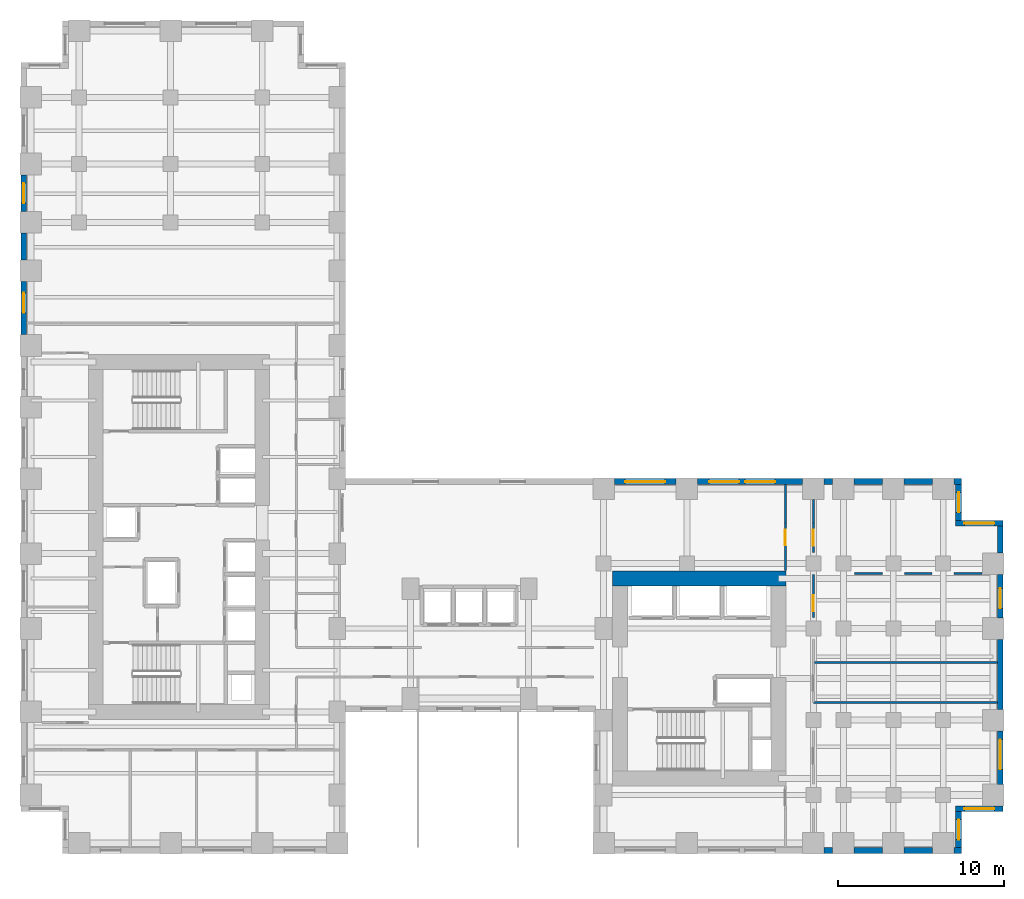
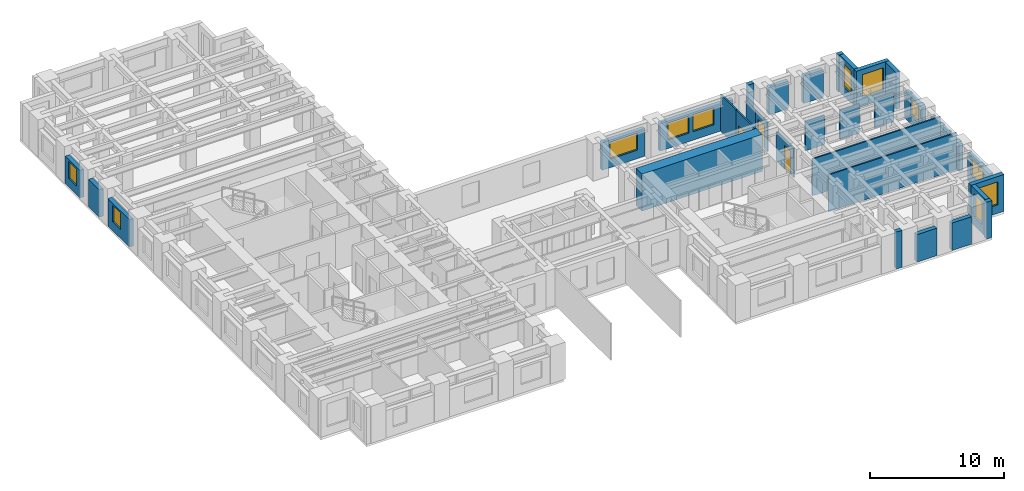
# One storey, part 9 of 12: 32 walls, 11 windows, 3 doors, 14 openings.
"""IFC4 building model written with IfcOpenShell, lengths in metres."""

from ifc_helpers import new_model, si_unit, direction, frame, frame_2d, origin, place, context, subcontext, project, spatial, rectangle, extrude, source, transform, mapped, material, layer, layer_set, type_object, element, fill, save


model = new_model("IFC4")

# Units and contexts
model_context = context("Model", 3, precision=1e-05, world=origin(), true_north=direction((0.0, 1.0)))
body_context = subcontext(model_context, "Body", "Model", "MODEL_VIEW")
ifc_project = project(units=[si_unit("LENGTHUNIT", "METRE"), si_unit("AREAUNIT", "SQUARE_METRE"), si_unit("VOLUMEUNIT", "CUBIC_METRE"), si_unit("PLANEANGLEUNIT", "RADIAN"), si_unit("MASSUNIT", "GRAM", prefix="KILO")], contexts=[model_context])

# Site, building, storey
site_placement = place(None, origin())
site = spatial("IfcSite", under=ifc_project, at=site_placement, CompositionType="ELEMENT")
building_placement = place(site_placement, origin())
building = spatial("IfcBuilding", under=site, at=building_placement, Name="Kharzan Plaza Tower", CompositionType="ELEMENT")
storey_placement = place(building_placement, frame((0.0, 0.0, 51.300048828125)))
storey = spatial("IfcBuildingStorey", under=building, at=storey_placement, Name="L13", CompositionType="ELEMENT", Elevation=51.300048828125)

# Wall, opening, window
ifc_material_1 = material(Name="Concrete C40/50", Category="concrete")
ifc_layer_1 = layer(ifc_material_1, 0.35009765625)
ifc_layer_set_1 = layer_set([ifc_layer_1], Name="Concrete C40/50")
wall_type_1 = type_object("IfcWallType", Name="WL-EXT-MAS-Z1", PredefinedType="SOLIDWALL", material=ifc_layer_set_1)
wall_1_placement = place(storey_placement, frame((0.175048828125, 40.751953125, 0.0), z_axis=(0.0, 0.0, 1.0), x_axis=(0.0, -1.0, 0.0)))
wall_1 = element("IfcWall", 1, at=wall_1_placement, inside=storey, type_object=wall_type_1, Name="L13 Masonry-Frame Exterior Wall 11", PredefinedType="SOLIDWALL", context=body_context, shape_type="SweptSolid", body=[
    extrude(rectangle(XDim=2.203857421875, YDim=0.35009765625, at=frame_2d((1.10205078125, 0.0))), origin(), (0.0, 0.0, 1.0), 2.510009765625),
])
opening_1_placement = place(wall_1_placement, frame((0.501953125, 0.0, 0.780029296875)))
opening_1 = element("IfcOpeningElement", 2, at=opening_1_placement, cuts=wall_1, Name="Opening W3", PredefinedType="OPENING", context=body_context, shape_type="SweptSolid", body=[
    extrude(rectangle(XDim=1.199951171875, YDim=1.550048828125, at=frame_2d((0.60009765625, 0.77490234375))), frame((0.0, 0.18505859375, 0.0), z_axis=(0.0, -1.0, 0.0), x_axis=(1.0, 0.0, 0.0)), (0.0, 0.0, 1.0), 0.3701171875),
])
ifc_material_2 = material(Name="Low-E Double Glazing", Category="glass")
window_type_1 = type_object("IfcWindowType", Name="WN-REC-1200x2100", PartitioningType="SINGLE_PANEL", PredefinedType="WINDOW", material=ifc_material_2)
shared_shape_1 = source(origin(), body_context, "Body", "SweptSolid", [
    extrude(rectangle(XDim=1.199951171875, YDim=1.550048828125, at=frame_2d((0.60009765625, 0.77490234375))), frame((0.0, 0.030029296875, 0.0), z_axis=(0.0, -1.0, 0.0), x_axis=(1.0, 0.0, 0.0)), (0.0, 0.0, 1.0), 0.06005859375),
])
window_1_placement = place(opening_1_placement, origin())
window_1 = element("IfcWindow", 3, at=window_1_placement, inside=storey, type_object=window_type_1, Name="L13 Recessed Solar-Control Window 11-1", OverallHeight=1.550048828125, OverallWidth=1.199951171875, PartitioningType="SINGLE_PANEL", PredefinedType="WINDOW", context=body_context, shape_type="MappedRepresentation", body=[
    mapped(shared_shape_1, transform((0.0, 0.0, 0.0), x_axis=(1.0, 0.0, 0.0), y_axis=(0.0, 1.0, 0.0), z_axis=(0.0, 0.0, 1.0))),
])
fill(opening_1, window_1)

wall_2_placement = place(storey_placement, frame((0.175048828125, 34.35205078125, 0.0), z_axis=(0.0, 0.0, 1.0), x_axis=(0.0, -1.0, 0.0)))
wall_2 = element("IfcWall", 4, at=wall_2_placement, inside=storey, type_object=wall_type_1, Name="L13 Masonry-Frame Exterior Wall 13", PredefinedType="SOLIDWALL", context=body_context, shape_type="SweptSolid", body=[
    extrude(rectangle(XDim=3.2041015625, YDim=0.35009765625, at=frame_2d((1.60205078125, 0.0))), origin(), (0.0, 0.0, 1.0), 2.510009765625),
])
opening_2_placement = place(wall_2_placement, frame((0.68603515625, 0.0, 0.780029296875)))
opening_2 = element("IfcOpeningElement", 5, at=opening_2_placement, cuts=wall_2, Name="Opening W3", PredefinedType="OPENING", context=body_context, shape_type="SweptSolid", body=[
    extrude(rectangle(XDim=1.199951171875, YDim=1.550048828125, at=frame_2d((0.60009765625, 0.77490234375))), frame((0.0, 0.18505859375, 0.0), z_axis=(0.0, -1.0, 0.0), x_axis=(1.0, 0.0, 0.0)), (0.0, 0.0, 1.0), 0.3701171875),
])
window_2_placement = place(opening_2_placement, origin())
window_2 = element("IfcWindow", 6, at=window_2_placement, inside=storey, type_object=window_type_1, Name="L13 Recessed Solar-Control Window 13-1", OverallHeight=1.550048828125, OverallWidth=1.199951171875, PartitioningType="SINGLE_PANEL", PredefinedType="WINDOW", context=body_context, shape_type="MappedRepresentation", body=[
    mapped(shared_shape_1, transform((0.0, 0.0, 0.0), x_axis=(1.0, 0.0, 0.0), y_axis=(0.0, 1.0, 0.0), z_axis=(0.0, 0.0, 1.0))),
])
fill(opening_2, window_2)

wall_3_placement = place(storey_placement, frame((56.324951171875, 0.347900390625, 0.0), z_axis=(0.0, 0.0, 1.0), x_axis=(0.0, 1.0, 0.0)))
wall_3 = element("IfcWall", 7, at=wall_3_placement, inside=storey, type_object=wall_type_1, Name="L13 Masonry-Frame Exterior Wall 39", PredefinedType="SOLIDWALL", context=body_context, shape_type="SweptSolid", body=[
    extrude(rectangle(XDim=2.154052734375, YDim=0.35009765625, at=frame_2d((1.0771484375, 0.0))), origin(), (0.0, 0.0, 1.0), 3.364990234375),
])
opening_3_placement = place(wall_3_placement, frame((0.47705078125, 0.0, 0.780029296875)))
opening_3 = element("IfcOpeningElement", 8, at=opening_3_placement, cuts=wall_3, Name="Opening W3", PredefinedType="OPENING", context=body_context, shape_type="SweptSolid", body=[
    extrude(rectangle(XDim=1.199951171875, YDim=2.10009765625, at=frame_2d((0.60009765625, 1.050048828125))), frame((0.0, 0.18505859375, 0.0), z_axis=(0.0, -1.0, 0.0), x_axis=(1.0, 0.0, 0.0)), (0.0, 0.0, 1.0), 0.3701171875),
])
shared_shape_2 = source(origin(), body_context, "Body", "SweptSolid", [
    extrude(rectangle(XDim=1.199951171875, YDim=2.10009765625, at=frame_2d((0.60009765625, 1.050048828125))), frame((0.0, 0.030029296875, 0.0), z_axis=(0.0, -1.0, 0.0), x_axis=(1.0, 0.0, 0.0)), (0.0, 0.0, 1.0), 0.06005859375),
])
window_3_placement = place(opening_3_placement, origin())
window_3 = element("IfcWindow", 9, at=window_3_placement, inside=storey, type_object=window_type_1, Name="L13 Recessed Solar-Control Window 39-1", OverallHeight=2.10009765625, OverallWidth=1.199951171875, PartitioningType="SINGLE_PANEL", PredefinedType="WINDOW", context=body_context, shape_type="MappedRepresentation", body=[
    mapped(shared_shape_2, transform((0.0, 0.0, 0.0), x_axis=(1.0, 0.0, 0.0), y_axis=(0.0, 1.0, 0.0), z_axis=(0.0, 0.0, 1.0))),
])
fill(opening_3, window_3)

wall_4_placement = place(storey_placement, frame((56.14990234375, 2.675048828125, 0.0), z_axis=(0.0, 0.0, 1.0), x_axis=(1.0, 0.0, 0.0)))
wall_4 = element("IfcWall", 10, at=wall_4_placement, inside=storey, type_object=wall_type_1, Name="L13 Masonry-Frame Exterior Wall 40", PredefinedType="SOLIDWALL", context=body_context, shape_type="SweptSolid", body=[
    extrude(rectangle(XDim=2.85009765625, YDim=0.35009765625, at=frame_2d((1.425048828125, 0.0))), origin(), (0.0, 0.0, 1.0), 3.364990234375),
])
opening_4_placement = place(wall_4_placement, frame((0.52490234375, 0.0, 0.780029296875)))
opening_4 = element("IfcOpeningElement", 11, at=opening_4_placement, cuts=wall_4, Name="Opening W1", PredefinedType="OPENING", context=body_context, shape_type="SweptSolid", body=[
    extrude(rectangle(XDim=1.800048828125, YDim=2.10009765625, at=frame_2d((0.89990234375, 1.050048828125))), frame((0.0, 0.18505859375, 0.0), z_axis=(0.0, -1.0, 0.0), x_axis=(1.0, 0.0, 0.0)), (0.0, 0.0, 1.0), 0.3701171875),
])
window_type_2 = type_object("IfcWindowType", Name="WN-REC-1800x2100", PartitioningType="SINGLE_PANEL", PredefinedType="WINDOW", material=ifc_material_2)
shared_shape_3 = source(origin(), body_context, "Body", "SweptSolid", [
    extrude(rectangle(XDim=1.800048828125, YDim=2.10009765625, at=frame_2d((0.89990234375, 1.050048828125))), frame((0.0, 0.030029296875, 0.0), z_axis=(0.0, -1.0, 0.0), x_axis=(1.0, 0.0, 0.0)), (0.0, 0.0, 1.0), 0.06005859375),
])
window_4_placement = place(opening_4_placement, origin())
window_4 = element("IfcWindow", 12, at=window_4_placement, inside=storey, type_object=window_type_2, Name="L13 Recessed Solar-Control Window 40-1", OverallHeight=2.10009765625, OverallWidth=1.800048828125, PartitioningType="SINGLE_PANEL", PredefinedType="WINDOW", context=body_context, shape_type="MappedRepresentation", body=[
    mapped(shared_shape_3, transform((0.0, 0.0, 0.0), x_axis=(1.0, 0.0, 0.0), y_axis=(0.0, 1.0, 0.0), z_axis=(0.0, 0.0, 1.0))),
])
fill(opening_4, window_4)

wall_5_placement = place(storey_placement, frame((58.824951171875, 4.14794921875, 0.0), z_axis=(0.0, 0.0, 1.0), x_axis=(0.0, 1.0, 0.0)))
wall_5 = element("IfcWall", 13, at=wall_5_placement, inside=storey, type_object=wall_type_1, Name="L13 Masonry-Frame Exterior Wall 41", PredefinedType="SOLIDWALL", context=body_context, shape_type="SweptSolid", body=[
    extrude(rectangle(XDim=3.2041015625, YDim=0.35009765625, at=frame_2d((1.60205078125, 0.0))), origin(), (0.0, 0.0, 1.0), 2.510009765625),
])
opening_5_placement = place(wall_5_placement, frame((0.88671875, 0.0, 0.780029296875)))
opening_5 = element("IfcOpeningElement", 14, at=opening_5_placement, cuts=wall_5, Name="Opening W1", PredefinedType="OPENING", context=body_context, shape_type="SweptSolid", body=[
    extrude(rectangle(XDim=1.800048828125, YDim=1.550048828125, at=frame_2d((0.89990234375, 0.77490234375))), frame((0.0, 0.18505859375, 0.0), z_axis=(0.0, -1.0, 0.0), x_axis=(1.0, 0.0, 0.0)), (0.0, 0.0, 1.0), 0.3701171875),
])
shared_shape_4 = source(origin(), body_context, "Body", "SweptSolid", [
    extrude(rectangle(XDim=1.800048828125, YDim=1.550048828125, at=frame_2d((0.89990234375, 0.77490234375))), frame((0.0, 0.030029296875, 0.0), z_axis=(0.0, -1.0, 0.0), x_axis=(1.0, 0.0, 0.0)), (0.0, 0.0, 1.0), 0.06005859375),
])
window_5_placement = place(opening_5_placement, origin())
window_5 = element("IfcWindow", 15, at=window_5_placement, inside=storey, type_object=window_type_2, Name="L13 Recessed Solar-Control Window 41-1", OverallHeight=1.550048828125, OverallWidth=1.800048828125, PartitioningType="SINGLE_PANEL", PredefinedType="WINDOW", context=body_context, shape_type="MappedRepresentation", body=[
    mapped(shared_shape_4, transform((0.0, 0.0, 0.0), x_axis=(1.0, 0.0, 0.0), y_axis=(0.0, 1.0, 0.0), z_axis=(0.0, 0.0, 1.0))),
])
fill(opening_5, window_5)

wall_6_placement = place(storey_placement, frame((58.824951171875, 14.14794921875, 0.0), z_axis=(0.0, 0.0, 1.0), x_axis=(0.0, 1.0, 0.0)))
wall_6 = element("IfcWall", 16, at=wall_6_placement, inside=storey, type_object=wall_type_1, Name="L13 Masonry-Frame Exterior Wall 43", PredefinedType="SOLIDWALL", context=body_context, shape_type="SweptSolid", body=[
    extrude(rectangle(XDim=2.60400390625, YDim=0.35009765625, at=frame_2d((1.302001953125, 0.0))), origin(), (0.0, 0.0, 1.0), 2.510009765625),
])
opening_6_placement = place(wall_6_placement, frame((0.5673828125, 0.0, 0.780029296875)))
opening_6 = element("IfcOpeningElement", 17, at=opening_6_placement, cuts=wall_6, Name="Opening W3", PredefinedType="OPENING", context=body_context, shape_type="SweptSolid", body=[
    extrude(rectangle(XDim=1.199951171875, YDim=1.550048828125, at=frame_2d((0.60009765625, 0.77490234375))), frame((0.0, 0.18505859375, 0.0), z_axis=(0.0, -1.0, 0.0), x_axis=(1.0, 0.0, 0.0)), (0.0, 0.0, 1.0), 0.3701171875),
])
window_6_placement = place(opening_6_placement, origin())
window_6 = element("IfcWindow", 18, at=window_6_placement, inside=storey, type_object=window_type_1, Name="L13 Recessed Solar-Control Window 43-1", OverallHeight=1.550048828125, OverallWidth=1.199951171875, PartitioningType="SINGLE_PANEL", PredefinedType="WINDOW", context=body_context, shape_type="MappedRepresentation", body=[
    mapped(shared_shape_1, transform((0.0, 0.0, 0.0), x_axis=(1.0, 0.0, 0.0), y_axis=(0.0, 1.0, 0.0), z_axis=(0.0, 0.0, 1.0))),
])
fill(opening_6, window_6)

wall_7_placement = place(storey_placement, frame((59.0, 19.824951171875, 0.0), z_axis=(0.0, 0.0, 1.0), x_axis=(-1.0, 0.0, 0.0)))
wall_7 = element("IfcWall", 19, at=wall_7_placement, inside=storey, type_object=wall_type_1, Name="L13 Masonry-Frame Exterior Wall 45", PredefinedType="SOLIDWALL", context=body_context, shape_type="SweptSolid", body=[
    extrude(rectangle(XDim=2.85009765625, YDim=0.35009765625, at=frame_2d((1.425048828125, 0.0))), origin(), (0.0, 0.0, 1.0), 3.364990234375),
])
opening_7_placement = place(wall_7_placement, frame((0.52490234375, 0.0, 0.780029296875)))
opening_7 = element("IfcOpeningElement", 20, at=opening_7_placement, cuts=wall_7, Name="Opening W1", PredefinedType="OPENING", context=body_context, shape_type="SweptSolid", body=[
    extrude(rectangle(XDim=1.800048828125, YDim=2.10009765625, at=frame_2d((0.89990234375, 1.050048828125))), frame((0.0, 0.18505859375, 0.0), z_axis=(0.0, -1.0, 0.0), x_axis=(1.0, 0.0, 0.0)), (0.0, 0.0, 1.0), 0.3701171875),
])
window_7_placement = place(opening_7_placement, origin())
window_7 = element("IfcWindow", 21, at=window_7_placement, inside=storey, type_object=window_type_2, Name="L13 Recessed Solar-Control Window 45-1", OverallHeight=2.10009765625, OverallWidth=1.800048828125, PartitioningType="SINGLE_PANEL", PredefinedType="WINDOW", context=body_context, shape_type="MappedRepresentation", body=[
    mapped(shared_shape_3, transform((0.0, 0.0, 0.0), x_axis=(1.0, 0.0, 0.0), y_axis=(0.0, 1.0, 0.0), z_axis=(0.0, 0.0, 1.0))),
])
fill(opening_7, window_7)

wall_8_placement = place(storey_placement, frame((56.324951171875, 19.998046875, 0.0), z_axis=(0.0, 0.0, 1.0), x_axis=(0.0, 1.0, 0.0)))
wall_8 = element("IfcWall", 22, at=wall_8_placement, inside=storey, type_object=wall_type_1, Name="L13 Masonry-Frame Exterior Wall 46", PredefinedType="SOLIDWALL", context=body_context, shape_type="SweptSolid", body=[
    extrude(rectangle(XDim=2.154052734375, YDim=0.35009765625, at=frame_2d((1.0771484375, 0.0))), origin(), (0.0, 0.0, 1.0), 3.364990234375),
])
opening_8_placement = place(wall_8_placement, frame((0.47705078125, 0.0, 0.780029296875)))
opening_8 = element("IfcOpeningElement", 23, at=opening_8_placement, cuts=wall_8, Name="Opening W3", PredefinedType="OPENING", context=body_context, shape_type="SweptSolid", body=[
    extrude(rectangle(XDim=1.199951171875, YDim=2.10009765625, at=frame_2d((0.60009765625, 1.050048828125))), frame((0.0, 0.18505859375, 0.0), z_axis=(0.0, -1.0, 0.0), x_axis=(1.0, 0.0, 0.0)), (0.0, 0.0, 1.0), 0.3701171875),
])
window_8_placement = place(opening_8_placement, origin())
window_8 = element("IfcWindow", 24, at=window_8_placement, inside=storey, type_object=window_type_1, Name="L13 Recessed Solar-Control Window 46-1", OverallHeight=2.10009765625, OverallWidth=1.199951171875, PartitioningType="SINGLE_PANEL", PredefinedType="WINDOW", context=body_context, shape_type="MappedRepresentation", body=[
    mapped(shared_shape_2, transform((0.0, 0.0, 0.0), x_axis=(1.0, 0.0, 0.0), y_axis=(0.0, 1.0, 0.0), z_axis=(0.0, 0.0, 1.0))),
])
fill(opening_8, window_8)

# Wall, openings, windows
wall_9_placement = place(storey_placement, frame((46.951904296875, 22.324951171875, 0.0), z_axis=(0.0, 0.0, 1.0), x_axis=(-1.0, 0.0, 0.0)))
wall_9 = element("IfcWall", 25, at=wall_9_placement, inside=storey, type_object=wall_type_1, Name="L13 Masonry-Frame Exterior Wall 51", PredefinedType="SOLIDWALL", context=body_context, shape_type="SweptSolid", body=[
    extrude(rectangle(XDim=6.303955078125, YDim=0.35009765625, at=frame_2d((3.15185546875, 0.0))), origin(), (0.0, 0.0, 1.0), 2.510009765625),
])
opening_9_placement = place(wall_9_placement, frame((1.6494140625, 0.0, 0.780029296875)))
opening_9 = element("IfcOpeningElement", 26, at=opening_9_placement, cuts=wall_9, Name="Opening W1", PredefinedType="OPENING", context=body_context, shape_type="SweptSolid", body=[
    extrude(rectangle(XDim=1.800048828125, YDim=1.550048828125, at=frame_2d((0.89990234375, 0.77490234375))), frame((0.0, 0.18505859375, 0.0), z_axis=(0.0, -1.0, 0.0), x_axis=(1.0, 0.0, 0.0)), (0.0, 0.0, 1.0), 0.3701171875),
])
opening_10_placement = place(wall_9_placement, frame((3.816650390625, 0.0, 0.780029296875)))
opening_10 = element("IfcOpeningElement", 27, at=opening_10_placement, cuts=wall_9, Name="Opening W1", PredefinedType="OPENING", context=body_context, shape_type="SweptSolid", body=[
    extrude(rectangle(XDim=1.800048828125, YDim=1.550048828125, at=frame_2d((0.89990234375, 0.77490234375))), frame((0.0, 0.18505859375, 0.0), z_axis=(0.0, -1.0, 0.0), x_axis=(1.0, 0.0, 0.0)), (0.0, 0.0, 1.0), 0.3701171875),
])
window_9_placement = place(opening_9_placement, origin())
window_9 = element("IfcWindow", 28, at=window_9_placement, inside=storey, type_object=window_type_2, Name="L13 Recessed Solar-Control Window 51-1", OverallHeight=1.550048828125, OverallWidth=1.800048828125, PartitioningType="SINGLE_PANEL", PredefinedType="WINDOW", context=body_context, shape_type="MappedRepresentation", body=[
    mapped(shared_shape_4, transform((0.0, 0.0, 0.0), x_axis=(1.0, 0.0, 0.0), y_axis=(0.0, 1.0, 0.0), z_axis=(0.0, 0.0, 1.0))),
])
fill(opening_9, window_9)
window_10_placement = place(opening_10_placement, origin())
window_10 = element("IfcWindow", 29, at=window_10_placement, inside=storey, type_object=window_type_2, Name="L13 Recessed Solar-Control Window 51-2", OverallHeight=1.550048828125, OverallWidth=1.800048828125, PartitioningType="SINGLE_PANEL", PredefinedType="WINDOW", context=body_context, shape_type="MappedRepresentation", body=[
    mapped(shared_shape_4, transform((0.0, 0.0, 0.0), x_axis=(1.0, 0.0, 0.0), y_axis=(0.0, 1.0, 0.0), z_axis=(0.0, 0.0, 1.0))),
])
fill(opening_10, window_10)

# Wall, opening, window
wall_10_placement = place(storey_placement, frame((39.35205078125, 22.324951171875, 0.0), z_axis=(0.0, 0.0, 1.0), x_axis=(-1.0, 0.0, 0.0)))
wall_10 = element("IfcWall", 30, at=wall_10_placement, inside=storey, type_object=wall_type_1, Name="L13 Masonry-Frame Exterior Wall 52", PredefinedType="SOLIDWALL", context=body_context, shape_type="SweptSolid", body=[
    extrude(rectangle(XDim=3.7041015625, YDim=0.35009765625, at=frame_2d((1.85205078125, 0.0))), origin(), (0.0, 0.0, 1.0), 2.510009765625),
])
opening_11_placement = place(wall_10_placement, frame((0.652099609375, 0.0, 0.780029296875)))
opening_11 = element("IfcOpeningElement", 31, at=opening_11_placement, cuts=wall_10, Name="Opening W2", PredefinedType="OPENING", context=body_context, shape_type="SweptSolid", body=[
    extrude(rectangle(XDim=2.39990234375, YDim=1.550048828125, at=frame_2d((1.199951171875, 0.77490234375))), frame((0.0, 0.18505859375, 0.0), z_axis=(0.0, -1.0, 0.0), x_axis=(1.0, 0.0, 0.0)), (0.0, 0.0, 1.0), 0.3701171875),
])
window_type_3 = type_object("IfcWindowType", Name="WN-REC-2400x2100", PartitioningType="SINGLE_PANEL", PredefinedType="WINDOW", material=ifc_material_2)
shared_shape_5 = source(origin(), body_context, "Body", "SweptSolid", [
    extrude(rectangle(XDim=2.39990234375, YDim=1.550048828125, at=frame_2d((1.199951171875, 0.77490234375))), frame((0.0, 0.030029296875, 0.0), z_axis=(0.0, -1.0, 0.0), x_axis=(1.0, 0.0, 0.0)), (0.0, 0.0, 1.0), 0.06005859375),
])
window_11_placement = place(opening_11_placement, origin())
window_11 = element("IfcWindow", 32, at=window_11_placement, inside=storey, type_object=window_type_3, Name="L13 Wide Recessed Solar-Control Window 52-1", OverallHeight=1.550048828125, OverallWidth=2.39990234375, PartitioningType="SINGLE_PANEL", PredefinedType="WINDOW", context=body_context, shape_type="MappedRepresentation", body=[
    mapped(shared_shape_5, transform((0.0, 0.0, 0.0), x_axis=(1.0, 0.0, 0.0), y_axis=(0.0, 1.0, 0.0), z_axis=(0.0, 0.0, 1.0))),
])
fill(opening_11, window_11)

# Wall, opening, door
ifc_material_3 = material(Name="Fire-Rated Gypsum Board Partition", Category="gypsum")
ifc_layer_2 = layer(ifc_material_3, 0.125)
ifc_layer_set_2 = layer_set([ifc_layer_2], Name="Fire-Rated Gypsum Board Partition")
wall_type_2 = type_object("IfcWallType", Name="WL-INT-PART-125", PredefinedType="PARTITIONING", material=ifc_layer_set_2)
wall_11_placement = place(storey_placement, frame((47.60009765625, 14.159912109375, 0.0), z_axis=(0.0, 0.0, 1.0), x_axis=(0.0, 1.0, 0.0)))
wall_11 = element("IfcWall", 33, at=wall_11_placement, inside=storey, type_object=wall_type_2, Name="L13 Interior Partition SH-B1W1-S2", PredefinedType="PARTITIONING", context=body_context, shape_type="SweptSolid", body=[
    extrude(rectangle(XDim=2.580078125, YDim=0.125, at=frame_2d((1.2900390625, 0.0))), origin(), (0.0, 0.0, 1.0), 2.669921875),
])
opening_12_placement = place(wall_11_placement, frame((0.3916015625, 0.0, 0.0)))
opening_12 = element("IfcOpeningElement", 34, at=opening_12_placement, cuts=wall_11, Name="Opening OD1", PredefinedType="OPENING", context=body_context, shape_type="SweptSolid", body=[
    extrude(rectangle(XDim=0.949951171875, YDim=2.14990234375, at=frame_2d((0.47509765625, 1.074951171875))), frame((0.0, 0.072509765625, 0.0), z_axis=(0.0, -1.0, 0.0), x_axis=(1.0, 0.0, 0.0)), (0.0, 0.0, 1.0), 0.14501953125),
])
ifc_material_4 = material(Name="Acoustic Solid-Core Stained Oak", Category="timber")
door_type = type_object("IfcDoorType", Name="DR-OFF-SINGLE", OperationType="NOTDEFINED", PredefinedType="DOOR", material=ifc_material_4)
shared_shape_6 = source(origin(), body_context, "Body", "SweptSolid", [
    extrude(rectangle(XDim=0.949951171875, YDim=2.14990234375, at=frame_2d((0.47509765625, 1.074951171875))), frame((0.0, 0.02490234375, 0.0), z_axis=(0.0, -1.0, 0.0), x_axis=(1.0, 0.0, 0.0)), (0.0, 0.0, 1.0), 0.050048828125),
])
door_1_placement = place(opening_12_placement, origin())
door_1 = element("IfcDoor", 35, at=door_1_placement, inside=storey, type_object=door_type, Name="L13 Wing B Mid Office Door", OperationType="SINGLE_SWING_RIGHT", OverallHeight=2.14990234375, OverallWidth=0.949951171875, PredefinedType="DOOR", context=body_context, shape_type="MappedRepresentation", body=[
    mapped(shared_shape_6, transform((0.0, 0.0, 0.0), x_axis=(1.0, 0.0, 0.0), y_axis=(0.0, 1.0, 0.0), z_axis=(0.0, 0.0, 1.0))),
])
fill(opening_12, door_1)

wall_12_placement = place(storey_placement, frame((47.60009765625, 18.06005859375, 0.0), z_axis=(0.0, 0.0, 1.0), x_axis=(0.0, 1.0, 0.0)))
wall_12 = element("IfcWall", 36, at=wall_12_placement, inside=storey, type_object=wall_type_2, Name="L13 Interior Partition SH-B1W2", PredefinedType="PARTITIONING", context=body_context, shape_type="SweptSolid", body=[
    extrude(rectangle(XDim=1.7900390625, YDim=0.125, at=frame_2d((0.89501953125, 0.0))), origin(), (0.0, 0.0, 1.0), 2.669921875),
])
opening_13_placement = place(wall_12_placement, frame((0.419921875, 0.0, 0.0)))
opening_13 = element("IfcOpeningElement", 37, at=opening_13_placement, cuts=wall_12, Name="Opening OD1", PredefinedType="OPENING", context=body_context, shape_type="SweptSolid", body=[
    extrude(rectangle(XDim=0.949951171875, YDim=2.14990234375, at=frame_2d((0.47509765625, 1.074951171875))), frame((0.0, 0.072509765625, 0.0), z_axis=(0.0, -1.0, 0.0), x_axis=(1.0, 0.0, 0.0)), (0.0, 0.0, 1.0), 0.14501953125),
])
door_2_placement = place(opening_13_placement, origin())
door_2 = element("IfcDoor", 38, at=door_2_placement, inside=storey, type_object=door_type, Name="L13 Wing B North Office Door", OperationType="SINGLE_SWING_RIGHT", OverallHeight=2.14990234375, OverallWidth=0.949951171875, PredefinedType="DOOR", context=body_context, shape_type="MappedRepresentation", body=[
    mapped(shared_shape_6, transform((0.0, 0.0, 0.0), x_axis=(1.0, 0.0, 0.0), y_axis=(0.0, 1.0, 0.0), z_axis=(0.0, 0.0, 1.0))),
])
fill(opening_13, door_2)

wall_13_placement = place(storey_placement, frame((45.919921875, 16.97998046875, 0.0), z_axis=(0.0, 0.0, 1.0), x_axis=(0.0, 1.0, 0.0)))
wall_13 = element("IfcWall", 39, at=wall_13_placement, inside=storey, type_object=wall_type_2, Name="L13 Interior Partition SH-RBNE", PredefinedType="PARTITIONING", context=body_context, shape_type="SweptSolid", body=[
    extrude(rectangle(XDim=2.8701171875, YDim=0.125, at=frame_2d((1.43505859375, 0.0))), origin(), (0.0, 0.0, 1.0), 3.364990234375),
])
opening_14_placement = place(wall_13_placement, frame((1.51708984375, 0.0, 0.0)))
opening_14 = element("IfcOpeningElement", 40, at=opening_14_placement, cuts=wall_13, Name="Opening OD1", PredefinedType="OPENING", context=body_context, shape_type="SweptSolid", body=[
    extrude(rectangle(XDim=0.949951171875, YDim=2.14990234375, at=frame_2d((0.47509765625, 1.074951171875))), frame((0.0, 0.072509765625, 0.0), z_axis=(0.0, -1.0, 0.0), x_axis=(1.0, 0.0, 0.0)), (0.0, 0.0, 1.0), 0.14501953125),
])
door_3_placement = place(opening_14_placement, origin())
door_3 = element("IfcDoor", 41, at=door_3_placement, inside=storey, type_object=door_type, Name="L13 Wing B North Studio Door", OperationType="SINGLE_SWING_RIGHT", OverallHeight=2.14990234375, OverallWidth=0.949951171875, PredefinedType="DOOR", context=body_context, shape_type="MappedRepresentation", body=[
    mapped(shared_shape_6, transform((0.0, 0.0, 0.0), x_axis=(1.0, 0.0, 0.0), y_axis=(0.0, 1.0, 0.0), z_axis=(0.0, 0.0, 1.0))),
])
fill(opening_14, door_3)

# Walls
ifc_material_5 = material(Name="Concrete C60/75", Category="concrete")
ifc_layer_3 = layer(ifc_material_5, 0.89990234375)
ifc_layer_set_3 = layer_set([ifc_layer_3], Name="Concrete C60/75")
wall_type_3 = type_object("IfcWallType", Name="WL-CORE-900", PredefinedType="SHEAR", material=ifc_layer_set_3)
shared_shape_7 = source(origin(), body_context, "Body", "SweptSolid", [
    extrude(rectangle(XDim=10.39990234375, YDim=0.89990234375, at=frame_2d((5.199951171875, 0.0))), origin(), (0.0, 0.0, 1.0), 3.3798828125),
])
wall_14_placement = place(storey_placement, frame((35.550048828125, 16.5, 0.0), z_axis=(0.0, 0.0, 1.0), x_axis=(1.0, 0.0, 0.0)))
element("IfcWall", 42, at=wall_14_placement, inside=storey, type_object=wall_type_3, Name="L13 CORE-B north RC shear wall", PredefinedType="SHEAR", context=body_context, shape_type="MappedRepresentation", body=[
    mapped(shared_shape_7, transform((0.0, 0.0, 0.0), x_axis=(1.0, 0.0, 0.0), y_axis=(0.0, 1.0, 0.0), z_axis=(0.0, 0.0, 1.0))),
])
shared_shape_8 = source(origin(), body_context, "Body", "SweptSolid", [
    extrude(rectangle(XDim=1.60400390625, YDim=0.35009765625, at=frame_2d((0.802001953125, 0.0))), origin(), (0.0, 0.0, 1.0), 2.510009765625),
])
wall_15_placement = place(storey_placement, frame((0.175048828125, 37.251953125, 0.0), z_axis=(0.0, 0.0, 1.0), x_axis=(0.0, -1.0, 0.0)))
element("IfcWall", 43, at=wall_15_placement, inside=storey, type_object=wall_type_1, Name="L13 Masonry-Frame Exterior Wall 12", PredefinedType="SOLIDWALL", context=body_context, shape_type="MappedRepresentation", body=[
    mapped(shared_shape_8, transform((0.0, 0.0, 0.0), x_axis=(1.0, 0.0, 0.0), y_axis=(0.0, 1.0, 0.0), z_axis=(0.0, 0.0, 1.0))),
])
shared_shape_9 = source(origin(), body_context, "Body", "SweptSolid", [
    extrude(rectangle(XDim=0.50390625, YDim=0.35009765625, at=frame_2d((0.251953125, 0.0))), origin(), (0.0, 0.0, 1.0), 3.364990234375),
])
for number, where, z_axis, x_axis, name in (
    (44, (48.248046875, 0.175048828125, 0.0), (0.0, 0.0, 1.0), (1.0, 0.0, 0.0), "L13 Masonry-Frame Exterior Wall 35"),
    (45, (48.751953125, 22.324951171875, 0.0), (0.0, 0.0, 1.0), (-1.0, 0.0, 0.0), "L13 Masonry-Frame Exterior Wall 50"),
):
    element("IfcWall", number, at=place(storey_placement, frame(where, z_axis=z_axis, x_axis=x_axis)), inside=storey, type_object=wall_type_1, Name=name, PredefinedType="SOLIDWALL", context=body_context, shape_type="MappedRepresentation", body=[
        mapped(shared_shape_9, transform((0.0, 0.0, 0.0), x_axis=(1.0, 0.0, 0.0), y_axis=(0.0, 1.0, 0.0), z_axis=(0.0, 0.0, 1.0))),
    ])
shared_shape_10 = source(origin(), body_context, "Body", "SweptSolid", [
    extrude(rectangle(XDim=1.703857421875, YDim=0.35009765625, at=frame_2d((0.85205078125, 0.0))), origin(), (0.0, 0.0, 1.0), 2.510009765625),
])
for number, where, z_axis, x_axis, name in (
    (46, (50.048095703125, 0.175048828125, 0.0), (0.0, 0.0, 1.0), (1.0, 0.0, 0.0), "L13 Masonry-Frame Exterior Wall 36"),
    (47, (53.048095703125, 0.175048828125, 0.0), (0.0, 0.0, 1.0), (1.0, 0.0, 0.0), "L13 Masonry-Frame Exterior Wall 37"),
    (48, (54.751953125, 22.324951171875, 0.0), (0.0, 0.0, 1.0), (-1.0, 0.0, 0.0), "L13 Masonry-Frame Exterior Wall 48"),
    (49, (51.751953125, 22.324951171875, 0.0), (0.0, 0.0, 1.0), (-1.0, 0.0, 0.0), "L13 Masonry-Frame Exterior Wall 49"),
):
    element("IfcWall", number, at=place(storey_placement, frame(where, z_axis=z_axis, x_axis=x_axis)), inside=storey, type_object=wall_type_1, Name=name, PredefinedType="SOLIDWALL", context=body_context, shape_type="MappedRepresentation", body=[
        mapped(shared_shape_10, transform((0.0, 0.0, 0.0), x_axis=(1.0, 0.0, 0.0), y_axis=(0.0, 1.0, 0.0), z_axis=(0.0, 0.0, 1.0))),
    ])
shared_shape_11 = source(origin(), body_context, "Body", "SweptSolid", [
    extrude(rectangle(XDim=0.451904296875, YDim=0.35009765625, at=frame_2d((0.22607421875, 0.0))), origin(), (0.0, 0.0, 1.0), 3.364990234375),
])
for number, where, z_axis, x_axis, name in (
    (50, (56.048095703125, 0.175048828125, 0.0), (0.0, 0.0, 1.0), (1.0, 0.0, 0.0), "L13 Masonry-Frame Exterior Wall 38"),
    (51, (56.5, 22.324951171875, 0.0), (0.0, 0.0, 1.0), (-1.0, 0.0, 0.0), "L13 Masonry-Frame Exterior Wall 47"),
):
    element("IfcWall", number, at=place(storey_placement, frame(where, z_axis=z_axis, x_axis=x_axis)), inside=storey, type_object=wall_type_1, Name=name, PredefinedType="SOLIDWALL", context=body_context, shape_type="MappedRepresentation", body=[
        mapped(shared_shape_11, transform((0.0, 0.0, 0.0), x_axis=(1.0, 0.0, 0.0), y_axis=(0.0, 1.0, 0.0), z_axis=(0.0, 0.0, 1.0))),
    ])
shared_shape_12 = source(origin(), body_context, "Body", "SweptSolid", [
    extrude(rectangle(XDim=1.60400390625, YDim=0.35009765625, at=frame_2d((0.802001953125, 0.0))), origin(), (0.0, 0.0, 1.0), 3.364990234375),
])
wall_16_placement = place(storey_placement, frame((58.824951171875, 18.048095703125, 0.0), z_axis=(0.0, 0.0, 1.0), x_axis=(0.0, 1.0, 0.0)))
element("IfcWall", 52, at=wall_16_placement, inside=storey, type_object=wall_type_1, Name="L13 Masonry-Frame Exterior Wall 44", PredefinedType="SOLIDWALL", context=body_context, shape_type="MappedRepresentation", body=[
    mapped(shared_shape_12, transform((0.0, 0.0, 0.0), x_axis=(1.0, 0.0, 0.0), y_axis=(0.0, 1.0, 0.0), z_axis=(0.0, 0.0, 1.0))),
])
shared_shape_13 = source(origin(), body_context, "Body", "SweptSolid", [
    extrude(rectangle(XDim=11.0478515625, YDim=0.125, at=frame_2d((5.52392578125, 0.0))), origin(), (0.0, 0.0, 1.0), 3.364990234375),
])
for number, where, z_axis, x_axis, name in (
    (53, (47.60009765625, 11.449951171875, 0.0), (0.0, 0.0, 1.0), (1.0, 0.0, 0.0), "L13 Interior Partition SH-B1H-118"),
    (54, (47.60009765625, 9.050048828125, 0.0), (0.0, 0.0, 1.0), (1.0, 0.0, 0.0), "L13 Interior Partition SH-B1H-90"),
):
    element("IfcWall", number, at=place(storey_placement, frame(where, z_axis=z_axis, x_axis=x_axis)), inside=storey, type_object=wall_type_2, Name=name, PredefinedType="PARTITIONING", context=body_context, shape_type="MappedRepresentation", body=[
        mapped(shared_shape_13, transform((0.0, 0.0, 0.0), x_axis=(1.0, 0.0, 0.0), y_axis=(0.0, 1.0, 0.0), z_axis=(0.0, 0.0, 1.0))),
    ])
shared_shape_14 = source(origin(), body_context, "Body", "SweptSolid", [
    extrude(rectangle(XDim=1.389892578125, YDim=0.125, at=frame_2d((0.69482421875, 0.0))), origin(), (0.0, 0.0, 1.0), 2.669921875),
])
wall_17_placement = place(storey_placement, frame((47.60009765625, 19.85009765625, 0.0), z_axis=(0.0, 0.0, 1.0), x_axis=(0.0, 1.0, 0.0)))
element("IfcWall", 55, at=wall_17_placement, inside=storey, type_object=wall_type_2, Name="L13 Interior Partition SH-B1W2N", PredefinedType="PARTITIONING", context=body_context, shape_type="MappedRepresentation", body=[
    mapped(shared_shape_14, transform((0.0, 0.0, 0.0), x_axis=(1.0, 0.0, 0.0), y_axis=(0.0, 1.0, 0.0), z_axis=(0.0, 0.0, 1.0))),
])
shared_shape_15 = source(origin(), body_context, "Body", "SweptSolid", [
    extrude(rectangle(XDim=2.2978515625, YDim=0.125, at=frame_2d((1.14892578125, 0.0))), origin(), (0.0, 0.0, 1.0), 3.364990234375),
])
wall_18_placement = place(storey_placement, frame((45.919921875, 19.85009765625, 0.0), z_axis=(0.0, 0.0, 1.0), x_axis=(0.0, 1.0, 0.0)))
element("IfcWall", 56, at=wall_18_placement, inside=storey, type_object=wall_type_2, Name="L13 Interior Partition SH-RBNE0", PredefinedType="PARTITIONING", context=body_context, shape_type="MappedRepresentation", body=[
    mapped(shared_shape_15, transform((0.0, 0.0, 0.0), x_axis=(1.0, 0.0, 0.0), y_axis=(0.0, 1.0, 0.0), z_axis=(0.0, 0.0, 1.0))),
])
shared_shape_16 = source(origin(), body_context, "Body", "SweptSolid", [
    extrude(rectangle(XDim=4.2041015625, YDim=0.35009765625, at=frame_2d((2.10205078125, 0.0))), origin(), (0.0, 0.0, 1.0), 2.510009765625),
])
wall_19_placement = place(storey_placement, frame((58.824951171875, 8.64794921875, 0.0), z_axis=(0.0, 0.0, 1.0), x_axis=(0.0, 1.0, 0.0)))
element("IfcWall", 57, at=wall_19_placement, inside=storey, type_object=wall_type_1, Name="L13 Masonry-Frame Exterior Wall 42", PredefinedType="SOLIDWALL", context=body_context, shape_type="MappedRepresentation", body=[
    mapped(shared_shape_16, transform((0.0, 0.0, 0.0), x_axis=(1.0, 0.0, 0.0), y_axis=(0.0, 1.0, 0.0), z_axis=(0.0, 0.0, 1.0))),
])
shared_shape_17 = source(origin(), body_context, "Body", "SweptSolid", [
    extrude(rectangle(XDim=1.679931640625, YDim=0.125, at=frame_2d((0.83984375, 0.0))), origin(), (0.0, 0.0, 1.0), 2.669921875),
])
for number, where, z_axis, x_axis, name in (
    (58, (50.06005859375, 16.800048828125, 0.0), (0.0, 0.0, 1.0), (1.0, 0.0, 0.0), "L13 Interior Partition SH-B1H-168-S1"),
    (59, (53.06005859375, 16.800048828125, 0.0), (0.0, 0.0, 1.0), (1.0, 0.0, 0.0), "L13 Interior Partition SH-B1H-168-S2"),
    (60, (56.06005859375, 16.800048828125, 0.0), (0.0, 0.0, 1.0), (1.0, 0.0, 0.0), "L13 Interior Partition SH-B1H-168-S3"),
):
    element("IfcWall", number, at=place(storey_placement, frame(where, z_axis=z_axis, x_axis=x_axis)), inside=storey, type_object=wall_type_2, Name=name, PredefinedType="PARTITIONING", context=body_context, shape_type="MappedRepresentation", body=[
        mapped(shared_shape_17, transform((0.0, 0.0, 0.0), x_axis=(1.0, 0.0, 0.0), y_axis=(0.0, 1.0, 0.0), z_axis=(0.0, 0.0, 1.0))),
    ])

save(model, "model.ifc")
